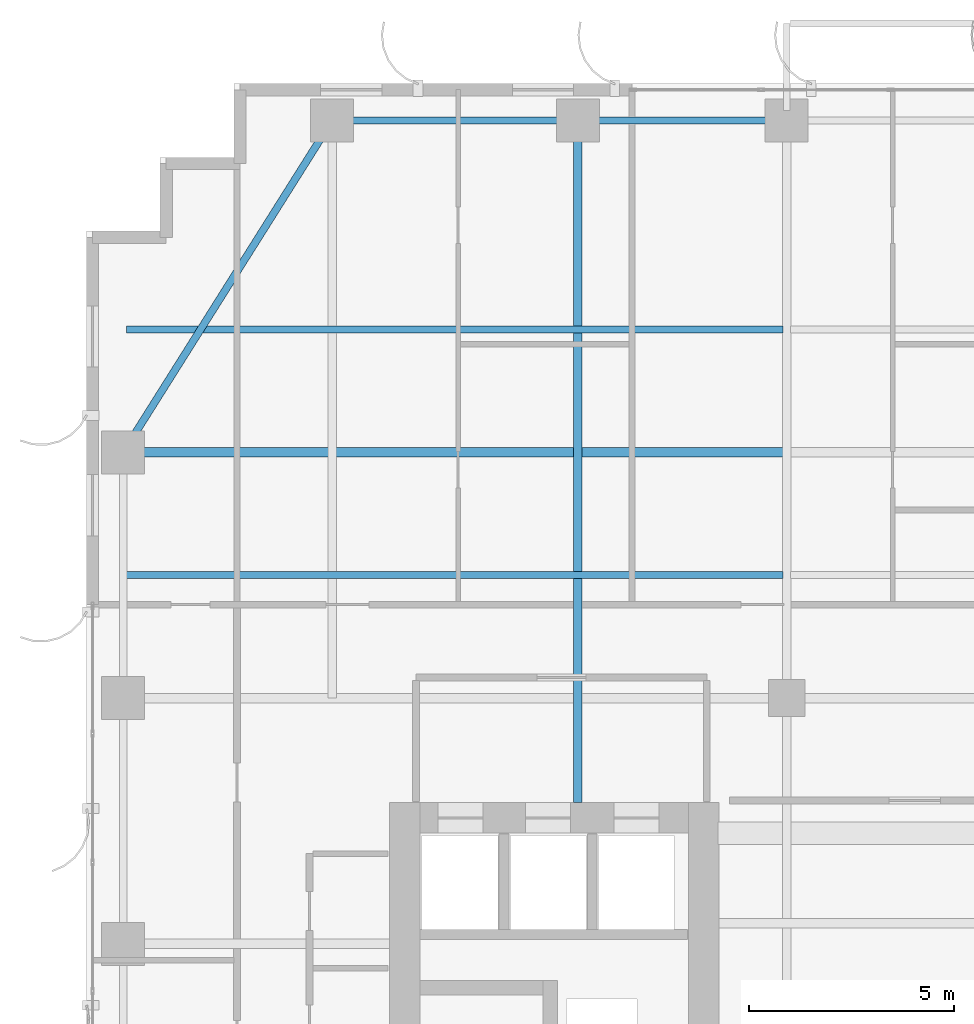
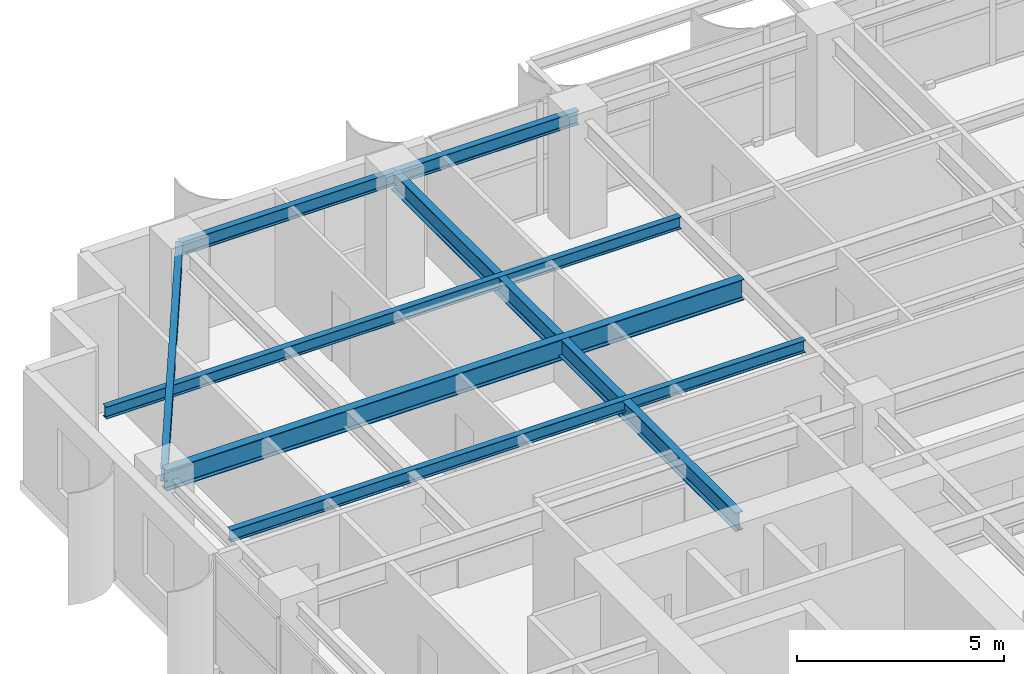
# One storey, part 9 of 25: 7 beams.
"""IFC4 building model written with IfcOpenShell, lengths in metres."""

import ifcopenshell
import ifcopenshell.guid

model = None  # the IFC model being written
_history = None  # IfcOwnerHistory: only IFC2X3 demands one
_inside = {}  # id of a spatial element -> (the spatial element, [elements in it])
_under = {}  # id of a project, library or spatial element -> (it, [spatial elements below it])
_declared = {}  # id of a project -> (the project, [libraries it declares])
_typed = {}  # id of a type object -> (the type object, [elements of that type])
_made_of = {}  # id of a material, layer set ... -> (it, [elements and type objects made of it])


def new_model(schema):
    """Start an empty IFC model of exactly this schema.

    Asked for "IFC4X3", IfcOpenShell would pick the latest addendum, in which some entities
    have other attributes; the version numbers below select the first issue.
    IFC2X3 requires an IfcOwnerHistory on every rooted entity: one is made here for all.
    """
    global model, _history
    if schema == "IFC4X3":
        model = ifcopenshell.file(schema_version=(4, 3, 0, 0))
    else:
        model = ifcopenshell.file(schema=schema)
    _inside.clear()
    _under.clear()
    _declared.clear()
    _typed.clear()
    _made_of.clear()
    _history = None
    if model.schema == "IFC2X3":
        org = make("IfcOrganization", Name="unknown")
        user = make(
            "IfcPersonAndOrganization",
            ThePerson=make("IfcPerson", FamilyName="unknown"),
            TheOrganization=org,
        )
        app = make(
            "IfcApplication",
            ApplicationDeveloper=org,
            Version="unknown",
            ApplicationFullName="unknown",
            ApplicationIdentifier="unknown",
        )
        _history = make(
            "IfcOwnerHistory",
            OwningUser=user,
            OwningApplication=app,
            ChangeAction="ADDED",
            CreationDate=0,
        )
    return model


def make(cls, **values):
    """One entity of the class cls with the attributes given. An attribute that is None is left unset."""
    return model.create_entity(
        cls, **{name: value for name, value in values.items() if value is not None}
    )


def rooted(cls, **values):
    """An entity with a GlobalId (a new one), such as an element, a storey or a relation."""
    return make(cls, GlobalId=ifcopenshell.guid.new(), OwnerHistory=_history, **values)


def si_unit(unit_type, name, prefix=None):
    """IfcSIUnit, for example si_unit("LENGTHUNIT", "METRE", prefix="MILLI")."""
    return make("IfcSIUnit", UnitType=unit_type, Prefix=prefix, Name=name)


def assignment(units):
    """IfcUnitAssignment: the units of a project."""
    return None if units is None else make("IfcUnitAssignment", Units=units)


def point(xyz):
    """IfcCartesianPoint."""
    return None if xyz is None else make("IfcCartesianPoint", Coordinates=xyz)


def direction(xyz):
    """IfcDirection."""
    return None if xyz is None else make("IfcDirection", DirectionRatios=xyz)


def frame(location, z_axis=None, x_axis=None):
    """IfcAxis2Placement3D, a coordinate frame: its origin and axes. An axis left out is left unset."""
    return make(
        "IfcAxis2Placement3D",
        Location=point(location),
        Axis=direction(z_axis),
        RefDirection=direction(x_axis),
    )


def frame_2d(location, x_axis=None):
    """IfcAxis2Placement2D, a coordinate frame in the plane: its origin and x axis."""
    return make(
        "IfcAxis2Placement2D", Location=point(location), RefDirection=direction(x_axis)
    )


def origin():
    """The frame at (0, 0, 0) with its axes left unset."""
    return frame((0.0, 0.0, 0.0))


def origin_2d():
    """The frame at (0, 0) in the plane with its x axis left unset."""
    return frame_2d((0.0, 0.0))


def place(relative_to, where):
    """IfcLocalPlacement: puts the frame where relative to a parent placement (None: the world)."""
    return make(
        "IfcLocalPlacement", PlacementRelTo=relative_to, RelativePlacement=where
    )


def context(
    kind, dimensions, precision=None, world=None, true_north=None, identifier=None
):
    """IfcGeometricRepresentationContext, for example the 3D "Model" context."""
    return make(
        "IfcGeometricRepresentationContext",
        ContextIdentifier=identifier,
        ContextType=kind,
        CoordinateSpaceDimension=dimensions,
        Precision=precision,
        WorldCoordinateSystem=world,
        TrueNorth=true_north,
    )


def subcontext(parent, identifier, kind, view, scale=None):
    """IfcGeometricRepresentationSubContext, for example "Body" below "Model"."""
    return make(
        "IfcGeometricRepresentationSubContext",
        ContextIdentifier=identifier,
        ContextType=kind,
        ParentContext=parent,
        TargetScale=scale,
        TargetView=view,
    )


def project(units=None, contexts=None):
    """IfcProject with its units and contexts."""
    return rooted(
        "IfcProject",
        Name="project",
        RepresentationContexts=contexts,
        UnitsInContext=assignment(units),
    )


def spatial(cls, under=None, at=None, **own):
    """A site, building, storey or space (cls), placed at a placement, below another one or the project."""
    s = rooted(cls, ObjectPlacement=at, **own)
    if under is not None:
        _under.setdefault(under.id(), (under, []))[1].append(s)
    return s


def profile(cls, at=None, kind="AREA", **sizes):
    """A parametric profile (cls). Its sizes go by their IFC names, for example OverallWidth=200.0."""
    return make(cls, ProfileType=kind, Position=at, **sizes)


def i_section(**sizes):
    """IfcIShapeProfileDef."""
    return profile("IfcIShapeProfileDef", **sizes)


def extrude(swept, where, along, depth):
    """IfcExtrudedAreaSolid: the profile swept, set in the frame where, extruded along a direction by depth."""
    return make(
        "IfcExtrudedAreaSolid",
        SweptArea=swept,
        Position=where,
        ExtrudedDirection=direction(along),
        Depth=depth,
    )


def shape(context_of_items, identifier, shape_type, items):
    """IfcShapeRepresentation: the items that make up one representation, for example the "Body"."""
    return make(
        "IfcShapeRepresentation",
        ContextOfItems=context_of_items,
        RepresentationIdentifier=identifier,
        RepresentationType=shape_type,
        Items=items,
    )


def source(mapping_origin, context_of_items, identifier, shape_type, items):
    """IfcRepresentationMap: a shape defined once, which mapped items show again and again."""
    return make(
        "IfcRepresentationMap",
        MappingOrigin=mapping_origin,
        MappedRepresentation=shape(context_of_items, identifier, shape_type, items),
    )


def transform(
    local_origin,
    x_axis=None,
    y_axis=None,
    z_axis=None,
    scale=None,
    scale2=None,
    scale3=None,
    uniform=True,
):
    """IfcCartesianTransformationOperator3D, or its non-uniform kind. x_axis, y_axis, z_axis: its Axis1, 2, 3."""
    if uniform:
        return make(
            "IfcCartesianTransformationOperator3D",
            Axis1=direction(x_axis),
            Axis2=direction(y_axis),
            LocalOrigin=point(local_origin),
            Scale=scale,
            Axis3=direction(z_axis),
        )
    return make(
        "IfcCartesianTransformationOperator3DnonUniform",
        Axis1=direction(x_axis),
        Axis2=direction(y_axis),
        LocalOrigin=point(local_origin),
        Scale=scale,
        Axis3=direction(z_axis),
        Scale2=scale2,
        Scale3=scale3,
    )


def mapped(mapping_source, mapping_target):
    """IfcMappedItem: shows the shape of a source again, moved by a transform."""
    return make(
        "IfcMappedItem", MappingSource=mapping_source, MappingTarget=mapping_target
    )


def material(Name=None, Category=None):
    """IfcMaterial."""
    return make("IfcMaterial", Name=Name, Category=Category)


def material_profile(
    of_material, cross_section, Name=None, Category=None, Priority=None
):
    """IfcMaterialProfile: a cross section and its material."""
    return make(
        "IfcMaterialProfile",
        Name=Name,
        Material=of_material,
        Profile=cross_section,
        Priority=Priority,
        Category=Category,
    )


def profile_set(profiles, Name=None, composite=None):
    """IfcMaterialProfileSet."""
    return make(
        "IfcMaterialProfileSet",
        Name=Name,
        MaterialProfiles=profiles,
        CompositeProfile=composite,
    )


def made_of(thing, what):
    """Note that an element or type object is made of a material, layer set ...; save() writes the relation."""
    if what is not None:
        _made_of.setdefault(what.id(), (what, []))[1].append(thing)
    return thing


def type_object(cls, material=None, **own):
    """A type object (cls), such as IfcWallType, which elements share."""
    return made_of(rooted(cls, **own), material)


def element(
    cls,
    number,
    at=None,
    inside=None,
    cuts=None,
    type_object=None,
    material=None,
    context=None,
    identifier="Body",
    shape_type=None,
    held_by="IfcProductDefinitionShape",
    body=None,
    shapes=None,
    **own,
):
    """One element of the class cls, such as IfcWall. Its Tag is "e" and its number.

    at: its placement. inside: the storey or other place that contains it. cuts: it is an
    opening in that element (IfcRelVoidsElement). A single representation is given by context,
    identifier, shape_type and body (its items); several are given by shapes. held_by: the class
    of the entity that holds the representations. save() writes the other relations.
    """
    e = rooted(cls, Tag="e%d" % number, ObjectPlacement=at, **own)
    if body is not None:
        shapes = [shape(context, identifier, shape_type, body)]
    if shapes is not None:
        e.Representation = make(held_by, Representations=shapes)
    if inside is not None:
        _inside.setdefault(inside.id(), (inside, []))[1].append(e)
    if cuts is not None:
        rooted(
            "IfcRelVoidsElement", RelatingBuildingElement=cuts, RelatedOpeningElement=e
        )
    if type_object is not None:
        _typed.setdefault(type_object.id(), (type_object, []))[1].append(e)
    return made_of(e, material)


def aggregate(whole, parts):
    """IfcRelAggregates: a whole, such as a stair, and the parts it consists of."""
    return rooted("IfcRelAggregates", RelatingObject=whole, RelatedObjects=parts)


def save(model, path):
    """Write the relations noted so far, then the file.

    IfcRelAggregates (storeys below a building ...), IfcRelContainedInSpatialStructure (elements
    in a storey), IfcRelDefinesByType, IfcRelAssociatesMaterial and IfcRelDeclares: one each for
    every whole, place, type object, material and project.
    """
    for whole, parts in _under.values():
        aggregate(whole, parts)
    for where, things in _inside.values():
        rooted(
            "IfcRelContainedInSpatialStructure",
            RelatedElements=things,
            RelatingStructure=where,
        )
    for kind, things in _typed.values():
        rooted("IfcRelDefinesByType", RelatedObjects=things, RelatingType=kind)
    for what, things in _made_of.values():
        rooted("IfcRelAssociatesMaterial", RelatedObjects=things, RelatingMaterial=what)
    for by, libraries in _declared.values():
        rooted("IfcRelDeclares", RelatingContext=by, RelatedDefinitions=libraries)
    model.write(path)


model = new_model("IFC4")

# Units and contexts
model_context = context("Model", 3, precision=1e-05, world=origin(), true_north=direction((0.0, 1.0)))
body_context = subcontext(model_context, "Body", "Model", "MODEL_VIEW")
ifc_project = project(units=[si_unit("LENGTHUNIT", "METRE"), si_unit("AREAUNIT", "SQUARE_METRE"), si_unit("VOLUMEUNIT", "CUBIC_METRE"), si_unit("PLANEANGLEUNIT", "RADIAN"), si_unit("MASSUNIT", "GRAM", prefix="KILO")], contexts=[model_context])

# Site, building, storey
site_placement = place(None, origin())
site = spatial("IfcSite", under=ifc_project, at=site_placement, CompositionType="ELEMENT")
building_placement = place(site_placement, origin())
building = spatial("IfcBuilding", under=site, at=building_placement, Name="Khoralis Quay Care Tower", CompositionType="ELEMENT")
storey_placement = place(building_placement, frame((0.0, 0.0, 134.10009765625)))
storey = spatial("IfcBuildingStorey", under=building, at=storey_placement, Name="L35", CompositionType="ELEMENT", Elevation=134.10009765625)

# Beams
ifc_material = material(Name="Steel S355", Category="steel")
ifc_material_profile_1 = material_profile(ifc_material, i_section(OverallWidth=0.179931640625, OverallDepth=0.39990234375, WebThickness=0.008544921875, FlangeThickness=0.013427734375, FilletRadius=0.02099609375, at=origin_2d()), Name="Steel S355")
ifc_profile_set_1 = profile_set([ifc_material_profile_1], Name="Steel S355")
beam_type_1 = type_object("IfcBeamType", Name="BM-IPE400", PredefinedType="SPANDREL", material=ifc_profile_set_1)
shared_shape_1 = source(origin(), body_context, "Body", "SweptSolid", [
    extrude(i_section(OverallWidth=0.179931640625, OverallDepth=0.39990234375, WebThickness=0.008544921875, FlangeThickness=0.013427734375, FilletRadius=0.02099609375, at=origin_2d()), origin(), (0.0, 0.0, 1.0), 6.0),
])
beam_1_placement = place(storey_placement, frame((6.0, 44.10009765625, 3.139892578125), z_axis=(1.0, 0.0, 0.0), x_axis=(0.0, 1.0, 0.0)))
element("IfcBeam", 1, at=beam_1_placement, inside=storey, type_object=beam_type_1, Name="BM-TSP-L35-06", PredefinedType="SPANDREL", context=body_context, shape_type="MappedRepresentation", body=[
    mapped(shared_shape_1, transform((0.0, 0.0, 0.0), scale=1.0)),
])
shared_shape_2 = source(origin(), body_context, "Body", "SweptSolid", [
    extrude(i_section(OverallWidth=0.179931640625, OverallDepth=0.39990234375, WebThickness=0.008544921875, FlangeThickness=0.013427734375, FilletRadius=0.02099609375, at=origin_2d()), origin(), (0.0, 0.0, 1.0), 5.10009765625),
])
beam_2_placement = place(storey_placement, frame((12.0, 44.10009765625, 3.139892578125), z_axis=(1.0, 0.0, 0.0), x_axis=(0.0, 1.0, 0.0)))
element("IfcBeam", 2, at=beam_2_placement, inside=storey, type_object=beam_type_1, Name="BM-TSP-L35-07", PredefinedType="SPANDREL", context=body_context, shape_type="MappedRepresentation", body=[
    mapped(shared_shape_2, transform((0.0, 0.0, 0.0), scale=1.0)),
])
shared_shape_3 = source(origin(), body_context, "Body", "SweptSolid", [
    extrude(i_section(OverallWidth=0.179931640625, OverallDepth=0.39990234375, WebThickness=0.008544921875, FlangeThickness=0.013427734375, FilletRadius=0.02099609375, at=origin_2d()), origin(), (0.0, 0.0, 1.0), 9.572021484375),
])
beam_3_placement = place(storey_placement, frame((6.0, 44.10009765625, 3.139892578125), z_axis=(-0.532815975602, -0.846231136359, 0.0), x_axis=(0.846231136359, -0.532815975602, 0.0)))
element("IfcBeam", 3, at=beam_3_placement, inside=storey, type_object=beam_type_1, Name="BM-TCR-L35-23", PredefinedType="SPANDREL", context=body_context, shape_type="MappedRepresentation", body=[
    mapped(shared_shape_3, transform((0.0, 0.0, 0.0), scale=1.0)),
])
ifc_material_profile_2 = material_profile(ifc_material, i_section(OverallWidth=0.22998046875, OverallDepth=0.616943359375, WebThickness=0.01318359375, FlangeThickness=0.022216796875, FilletRadius=0.01806640625, at=origin_2d()), Name="Steel S355")
ifc_profile_set_2 = profile_set([ifc_material_profile_2], Name="Steel S355")
beam_type_2 = type_object("IfcBeamType", Name="BM-W610X140", PredefinedType="BEAM", material=ifc_profile_set_2)
shared_shape_4 = source(origin(), body_context, "Body", "SweptSolid", [
    extrude(i_section(OverallWidth=0.22998046875, OverallDepth=0.616943359375, WebThickness=0.01318359375, FlangeThickness=0.022216796875, FilletRadius=0.01806640625, at=origin_2d()), origin(), (0.0, 0.0, 1.0), 16.106201171875),
])
beam_4_placement = place(storey_placement, frame((0.89990234375, 36.0, 3.031494140625), z_axis=(1.0, 0.0, 0.0), x_axis=(0.0, 1.0, 0.0)))
element("IfcBeam", 4, at=beam_4_placement, inside=storey, type_object=beam_type_2, Name="BM-TGXW-L35-360", PredefinedType="BEAM", context=body_context, shape_type="MappedRepresentation", body=[
    mapped(shared_shape_4, transform((0.0, 0.0, 0.0), scale=1.0)),
])
ifc_material_profile_3 = material_profile(ifc_material, i_section(OverallWidth=0.2119140625, OverallDepth=0.5439453125, WebThickness=0.01318359375, FlangeThickness=0.021240234375, FilletRadius=0.01611328125, at=origin_2d()), Name="Steel S355")
ifc_profile_set_3 = profile_set([ifc_material_profile_3], Name="Steel S355")
beam_type_3 = type_object("IfcBeamType", Name="BM-W530X123", PredefinedType="BEAM", material=ifc_profile_set_3)
shared_shape_5 = source(origin(), body_context, "Body", "SweptSolid", [
    extrude(i_section(OverallWidth=0.2119140625, OverallDepth=0.5439453125, WebThickness=0.01318359375, FlangeThickness=0.021240234375, FilletRadius=0.01611328125, at=origin_2d()), origin(), (0.0, 0.0, 1.0), 16.652099609375),
])
beam_5_placement = place(storey_placement, frame((12.0, 27.447998046875, 3.06787109375), z_axis=(0.0, 1.0, 0.0), x_axis=(-1.0, 0.0, 0.0)))
element("IfcBeam", 5, at=beam_5_placement, inside=storey, type_object=beam_type_3, Name="BM-TGYN-L35-120", PredefinedType="BEAM", context=body_context, shape_type="MappedRepresentation", body=[
    mapped(shared_shape_5, transform((0.0, 0.0, 0.0), scale=1.0)),
])
ifc_material_profile_4 = material_profile(ifc_material, i_section(OverallWidth=0.1708984375, OverallDepth=0.35498046875, WebThickness=0.007080078125, FlangeThickness=0.01171875, FilletRadius=0.012939453125, at=origin_2d()), Name="Steel S355")
ifc_profile_set_4 = profile_set([ifc_material_profile_4], Name="Steel S355")
beam_type_4 = type_object("IfcBeamType", Name="BM-W360X51", PredefinedType="JOIST", material=ifc_profile_set_4)
shared_shape_6 = source(origin(), body_context, "Body", "SweptSolid", [
    extrude(i_section(OverallWidth=0.1708984375, OverallDepth=0.35498046875, WebThickness=0.007080078125, FlangeThickness=0.01171875, FilletRadius=0.012939453125, at=origin_2d()), origin(), (0.0, 0.0, 1.0), 16.030029296875),
])
for number, where, z_axis, x_axis, name in (
    (6, (0.97607421875, 33.0, 3.162353515625), (1.0, 0.0, 0.0), (0.0, 1.0, 0.0), "BM-TJS-L35-28"),
    (7, (0.97607421875, 39.0, 3.162353515625), (1.0, 0.0, 0.0), (0.0, 1.0, 0.0), "BM-TJS-L35-31"),
):
    element("IfcBeam", number, at=place(storey_placement, frame(where, z_axis=z_axis, x_axis=x_axis)), inside=storey, type_object=beam_type_4, Name=name, PredefinedType="JOIST", context=body_context, shape_type="MappedRepresentation", body=[
        mapped(shared_shape_6, transform((0.0, 0.0, 0.0), scale=1.0)),
    ])

save(model, "model.ifc")
